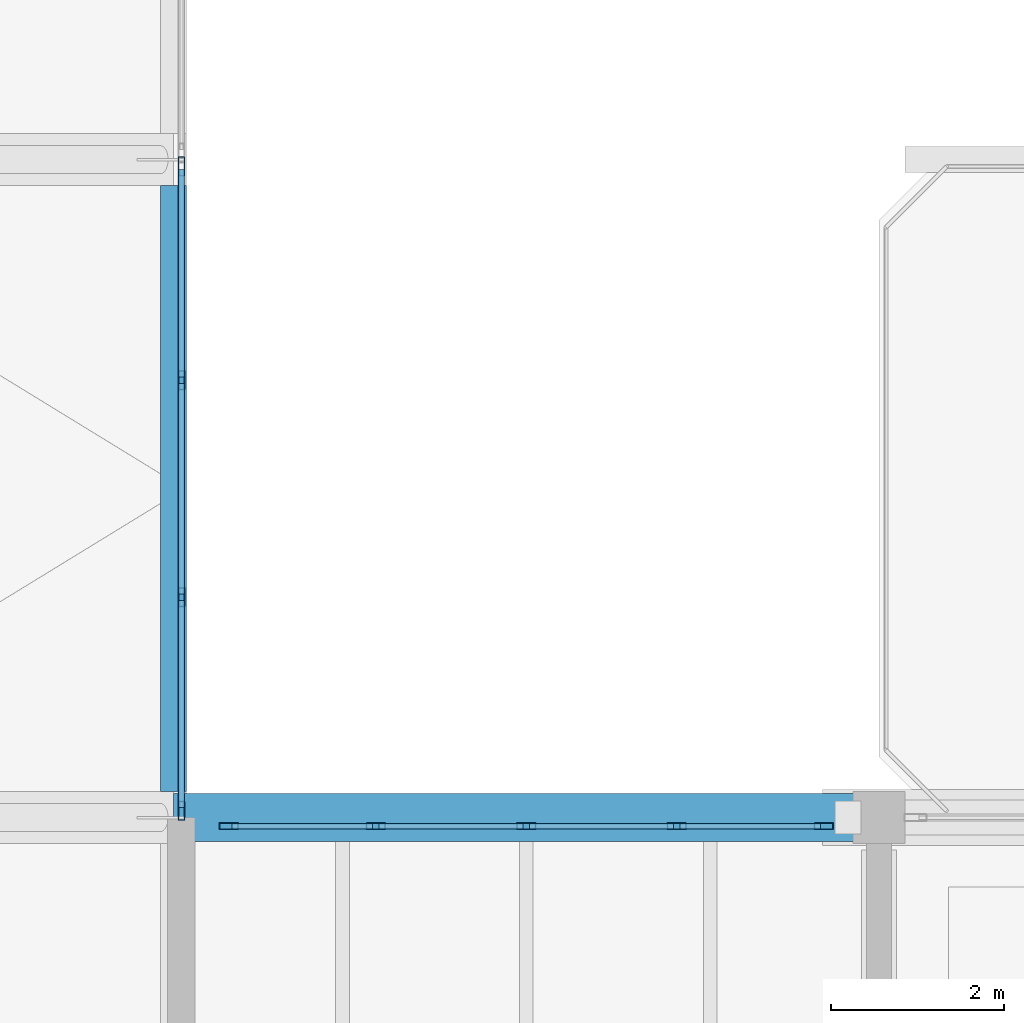
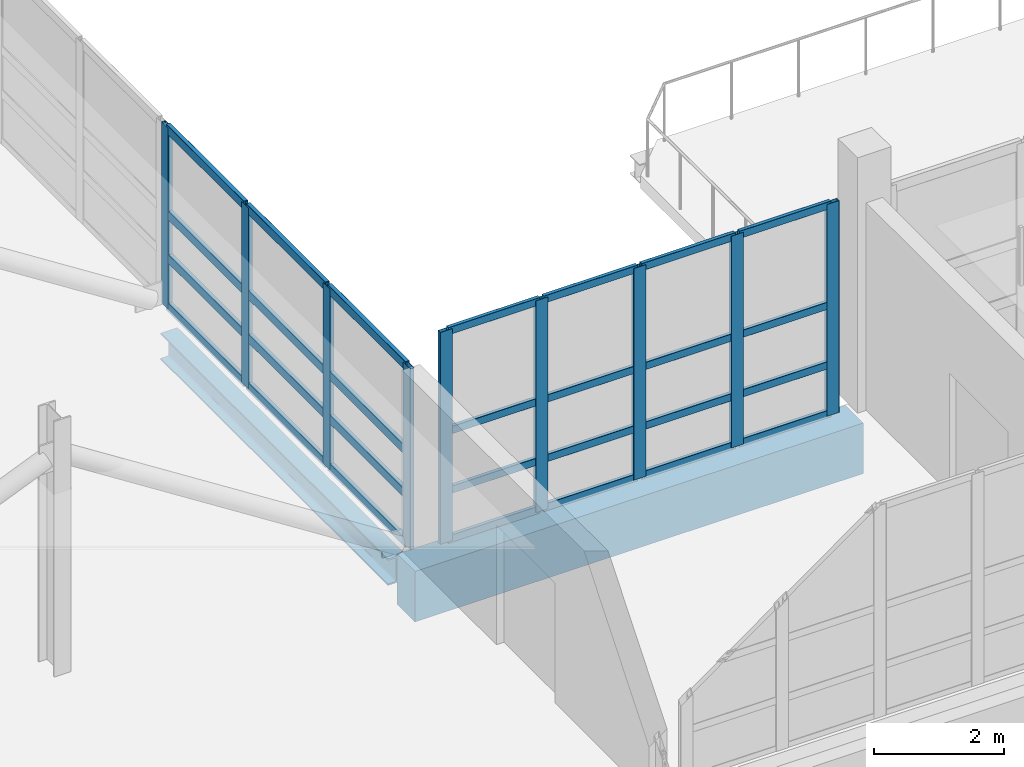
# One storey, part 16 of 147: 37 members, 2 beams, 2 elements without a shape of their own.
"""IFC4 building model written with IfcOpenShell, lengths in metres."""

from ifc_helpers import new_model, si_unit, direction, frame, origin, origin_2d, place, context, subcontext, project, spatial, rectangle, hollow_rectangle, i_section, extrude, material, material_profile, profile_set, type_object, element, aggregate, save


model = new_model("IFC4")

# Units and contexts
model_context = context("Model", 3, precision=1e-05, world=origin(), true_north=direction((0.0, 1.0)))
body_context = subcontext(model_context, "Body", "Model", "MODEL_VIEW")
ifc_project = project(units=[si_unit("LENGTHUNIT", "METRE"), si_unit("AREAUNIT", "SQUARE_METRE"), si_unit("VOLUMEUNIT", "CUBIC_METRE"), si_unit("PLANEANGLEUNIT", "RADIAN"), si_unit("MASSUNIT", "GRAM", prefix="KILO")], contexts=[model_context])

# Site, building, storey
site_placement = place(None, origin())
site = spatial("IfcSite", under=ifc_project, at=site_placement, CompositionType="ELEMENT")
building_placement = place(site_placement, origin())
building = spatial("IfcBuilding", under=site, at=building_placement, Name="Khelvaren Railside Concert Hall", CompositionType="ELEMENT")
storey_placement = place(building_placement, frame((0.0, 0.0, 5.39990234375)))
storey = spatial("IfcBuildingStorey", under=building, at=storey_placement, Name="L01", CompositionType="ELEMENT", Elevation=5.39990234375)

# Curtain wall, members
ifc_material_1 = material(Name="Triple-glazed solar-control glass", Category="glass")
curtain_wall_type_1 = type_object("IfcCurtainWallType", Name="CW41", PredefinedType="USERDEFINED", material=ifc_material_1)
curtain_wall_1_placement = place(storey_placement, origin())
curtain_wall_1 = element("IfcCurtainWall", 1, at=curtain_wall_1_placement, inside=storey, type_object=curtain_wall_type_1, Name="Unitised Curtain Wall CW-V1-L01-E-15", ObjectType="UNITISED CURTAIN WALL", PredefinedType="USERDEFINED")
ifc_material_2 = material(Name="Anodised architectural aluminium 6063-T6", Category="aluminium")
ifc_material_profile_1 = material_profile(ifc_material_2, hollow_rectangle(XDim=0.074951171875, YDim=0.219970703125, WallThickness=0.0048828125, InnerFilletRadius=0.0029296875, OuterFilletRadius=0.0048828125, at=origin_2d()), Name="CWM 75x220x5")
ifc_profile_set_1 = profile_set([ifc_material_profile_1], Name="Anodised architectural aluminium 6063-T6")
member_type_1 = type_object("IfcMemberType", Name="CWM13", PredefinedType="MULLION", material=ifc_profile_set_1)
member_1_placement = place(storey_placement, frame((55.93994140625, 22.722412109375, 0.0), z_axis=(0.0, 0.0, 1.0), x_axis=(1.0, 0.0, 0.0)))
member_1 = element("IfcMember", 2, at=member_1_placement, type_object=member_type_1, Name="CW41 mullion 1", PredefinedType="MULLION", context=body_context, shape_type="SweptSolid", body=[
    extrude(hollow_rectangle(XDim=0.074951171875, YDim=0.219970703125, WallThickness=0.0048828125, InnerFilletRadius=0.0029296875, OuterFilletRadius=0.0048828125, at=origin_2d()), origin(), (0.0, 0.0, 1.0), 3.400146484375),
])
member_2_placement = place(storey_placement, frame((55.93994140625, 20.25341796875, 0.0), z_axis=(0.0, 0.0, 1.0), x_axis=(1.0, 0.0, 0.0)))
member_2 = element("IfcMember", 3, at=member_2_placement, type_object=member_type_1, Name="CW41 mullion 2", PredefinedType="MULLION", context=body_context, shape_type="SweptSolid", body=[
    extrude(hollow_rectangle(XDim=0.074951171875, YDim=0.219970703125, WallThickness=0.0048828125, InnerFilletRadius=0.0029296875, OuterFilletRadius=0.0048828125, at=origin_2d()), origin(), (0.0, 0.0, 1.0), 3.400146484375),
])
member_3_placement = place(storey_placement, frame((55.93994140625, 17.74658203125, 0.0), z_axis=(0.0, 0.0, 1.0), x_axis=(1.0, 0.0, 0.0)))
member_3 = element("IfcMember", 4, at=member_3_placement, type_object=member_type_1, Name="CW41 mullion 3", PredefinedType="MULLION", context=body_context, shape_type="SweptSolid", body=[
    extrude(hollow_rectangle(XDim=0.074951171875, YDim=0.219970703125, WallThickness=0.0048828125, InnerFilletRadius=0.0029296875, OuterFilletRadius=0.0048828125, at=origin_2d()), origin(), (0.0, 0.0, 1.0), 3.400146484375),
])
member_4_placement = place(storey_placement, frame((55.93994140625, 15.277587890625, 0.0), z_axis=(0.0, 0.0, 1.0), x_axis=(1.0, 0.0, 0.0)))
member_4 = element("IfcMember", 5, at=member_4_placement, type_object=member_type_1, Name="CW41 mullion 4", PredefinedType="MULLION", context=body_context, shape_type="SweptSolid", body=[
    extrude(hollow_rectangle(XDim=0.074951171875, YDim=0.219970703125, WallThickness=0.0048828125, InnerFilletRadius=0.0029296875, OuterFilletRadius=0.0048828125, at=origin_2d()), origin(), (0.0, 0.0, 1.0), 3.400146484375),
])

ifc_material_3 = material(Name="Double-glazed clear foyer glass", Category="glass")
curtain_wall_type_2 = type_object("IfcCurtainWallType", Name="CW47", PredefinedType="USERDEFINED", material=ifc_material_3)
curtain_wall_2_placement = place(storey_placement, origin())
curtain_wall_2 = element("IfcCurtainWall", 6, at=curtain_wall_2_placement, inside=storey, type_object=curtain_wall_type_2, Name="Unitised Curtain Wall CW-LB1-L01-N", ObjectType="UNITISED CURTAIN WALL", PredefinedType="USERDEFINED")
member_5_placement = place(storey_placement, frame((56.487548828125, 15.10009765625, 0.0), z_axis=(0.0, 0.0, 1.0), x_axis=(0.0, 1.0, 0.0)))
member_5 = element("IfcMember", 7, at=member_5_placement, type_object=member_type_1, Name="CW47 mullion 1", PredefinedType="MULLION", context=body_context, shape_type="SweptSolid", body=[
    extrude(hollow_rectangle(XDim=0.074951171875, YDim=0.219970703125, WallThickness=0.0048828125, InnerFilletRadius=0.0029296875, OuterFilletRadius=0.0048828125, at=origin_2d()), origin(), (0.0, 0.0, 1.0), 3.97998046875),
])
member_6_placement = place(storey_placement, frame((58.1875, 15.10009765625, 0.0), z_axis=(0.0, 0.0, 1.0), x_axis=(0.0, 1.0, 0.0)))
member_6 = element("IfcMember", 8, at=member_6_placement, type_object=member_type_1, Name="CW47 mullion 2", PredefinedType="MULLION", context=body_context, shape_type="SweptSolid", body=[
    extrude(hollow_rectangle(XDim=0.074951171875, YDim=0.219970703125, WallThickness=0.0048828125, InnerFilletRadius=0.0029296875, OuterFilletRadius=0.0048828125, at=origin_2d()), origin(), (0.0, 0.0, 1.0), 3.97998046875),
])
member_7_placement = place(storey_placement, frame((59.925048828125, 15.10009765625, 0.0), z_axis=(0.0, 0.0, 1.0), x_axis=(0.0, 1.0, 0.0)))
member_7 = element("IfcMember", 9, at=member_7_placement, type_object=member_type_1, Name="CW47 mullion 3", PredefinedType="MULLION", context=body_context, shape_type="SweptSolid", body=[
    extrude(hollow_rectangle(XDim=0.074951171875, YDim=0.219970703125, WallThickness=0.0048828125, InnerFilletRadius=0.0029296875, OuterFilletRadius=0.0048828125, at=origin_2d()), origin(), (0.0, 0.0, 1.0), 3.97998046875),
])
member_8_placement = place(storey_placement, frame((61.66259765625, 15.10009765625, 0.0), z_axis=(0.0, 0.0, 1.0), x_axis=(0.0, 1.0, 0.0)))
member_8 = element("IfcMember", 10, at=member_8_placement, type_object=member_type_1, Name="CW47 mullion 4", PredefinedType="MULLION", context=body_context, shape_type="SweptSolid", body=[
    extrude(hollow_rectangle(XDim=0.074951171875, YDim=0.219970703125, WallThickness=0.0048828125, InnerFilletRadius=0.0029296875, OuterFilletRadius=0.0048828125, at=origin_2d()), origin(), (0.0, 0.0, 1.0), 3.97998046875),
])
member_9_placement = place(storey_placement, frame((63.362548828125, 15.10009765625, 0.0), z_axis=(0.0, 0.0, 1.0), x_axis=(0.0, 1.0, 0.0)))
member_9 = element("IfcMember", 11, at=member_9_placement, type_object=member_type_1, Name="CW47 mullion 5", PredefinedType="MULLION", context=body_context, shape_type="SweptSolid", body=[
    extrude(hollow_rectangle(XDim=0.074951171875, YDim=0.219970703125, WallThickness=0.0048828125, InnerFilletRadius=0.0029296875, OuterFilletRadius=0.0048828125, at=origin_2d()), origin(), (0.0, 0.0, 1.0), 3.97998046875),
])

# Member
ifc_material_profile_2 = material_profile(ifc_material_2, hollow_rectangle(XDim=0.074951171875, YDim=0.1650390625, WallThickness=0.00390625, InnerFilletRadius=0.001953125, OuterFilletRadius=0.00390625, at=origin_2d()), Name="CWT 75x165x4")
ifc_profile_set_2 = profile_set([ifc_material_profile_2], Name="Anodised architectural aluminium 6063-T6")
member_type_2 = type_object("IfcMemberType", Name="CWT46", PredefinedType="USERDEFINED", material=ifc_profile_set_2)
member_10_placement = place(storey_placement, frame((55.93994140625, 22.68505859375, 0.03759765625), z_axis=(0.0, -1.0, 0.0), x_axis=(1.0, 0.0, 0.0)))
member_10 = element("IfcMember", 12, at=member_10_placement, type_object=member_type_2, Name="CW41 transom 1.1", ObjectType="TRANSOM", PredefinedType="USERDEFINED", context=body_context, shape_type="SweptSolid", body=[
    extrude(hollow_rectangle(XDim=0.074951171875, YDim=0.1650390625, WallThickness=0.00390625, InnerFilletRadius=0.001953125, OuterFilletRadius=0.00390625, at=origin_2d()), origin(), (0.0, 0.0, 1.0), 2.394287109375),
])

member_11_placement = place(storey_placement, frame((55.93994140625, 22.68505859375, 0.9501953125), z_axis=(0.0, -1.0, 0.0), x_axis=(1.0, 0.0, 0.0)))
member_11 = element("IfcMember", 13, at=member_11_placement, type_object=member_type_2, Name="CW41 transom 1.2", ObjectType="TRANSOM", PredefinedType="USERDEFINED", context=body_context, shape_type="SweptSolid", body=[
    extrude(hollow_rectangle(XDim=0.074951171875, YDim=0.1650390625, WallThickness=0.00390625, InnerFilletRadius=0.001953125, OuterFilletRadius=0.00390625, at=origin_2d()), origin(), (0.0, 0.0, 1.0), 2.394287109375),
])

member_12_placement = place(storey_placement, frame((55.93994140625, 22.68505859375, 1.76806640625), z_axis=(0.0, -1.0, 0.0), x_axis=(1.0, 0.0, 0.0)))
member_12 = element("IfcMember", 14, at=member_12_placement, type_object=member_type_2, Name="CW41 transom 1.3", ObjectType="TRANSOM", PredefinedType="USERDEFINED", context=body_context, shape_type="SweptSolid", body=[
    extrude(hollow_rectangle(XDim=0.074951171875, YDim=0.1650390625, WallThickness=0.00390625, InnerFilletRadius=0.001953125, OuterFilletRadius=0.00390625, at=origin_2d()), origin(), (0.0, 0.0, 1.0), 2.394287109375),
])

member_13_placement = place(storey_placement, frame((55.93994140625, 22.68505859375, 3.362548828125), z_axis=(0.0, -1.0, 0.0), x_axis=(1.0, 0.0, 0.0)))
member_13 = element("IfcMember", 15, at=member_13_placement, type_object=member_type_2, Name="CW41 transom 1.4", ObjectType="TRANSOM", PredefinedType="USERDEFINED", context=body_context, shape_type="SweptSolid", body=[
    extrude(hollow_rectangle(XDim=0.074951171875, YDim=0.1650390625, WallThickness=0.00390625, InnerFilletRadius=0.001953125, OuterFilletRadius=0.00390625, at=origin_2d()), origin(), (0.0, 0.0, 1.0), 2.394287109375),
])

member_14_placement = place(storey_placement, frame((55.93994140625, 20.2158203125, 0.03759765625), z_axis=(0.0, -1.0, 0.0), x_axis=(1.0, 0.0, 0.0)))
member_14 = element("IfcMember", 16, at=member_14_placement, type_object=member_type_2, Name="CW41 transom 2.1", ObjectType="TRANSOM", PredefinedType="USERDEFINED", context=body_context, shape_type="SweptSolid", body=[
    extrude(hollow_rectangle(XDim=0.074951171875, YDim=0.1650390625, WallThickness=0.00390625, InnerFilletRadius=0.001953125, OuterFilletRadius=0.00390625, at=origin_2d()), origin(), (0.0, 0.0, 1.0), 2.431640625),
])

member_15_placement = place(storey_placement, frame((55.93994140625, 20.2158203125, 0.9501953125), z_axis=(0.0, -1.0, 0.0), x_axis=(1.0, 0.0, 0.0)))
member_15 = element("IfcMember", 17, at=member_15_placement, type_object=member_type_2, Name="CW41 transom 2.2", ObjectType="TRANSOM", PredefinedType="USERDEFINED", context=body_context, shape_type="SweptSolid", body=[
    extrude(hollow_rectangle(XDim=0.074951171875, YDim=0.1650390625, WallThickness=0.00390625, InnerFilletRadius=0.001953125, OuterFilletRadius=0.00390625, at=origin_2d()), origin(), (0.0, 0.0, 1.0), 2.431640625),
])

member_16_placement = place(storey_placement, frame((55.93994140625, 20.2158203125, 1.76806640625), z_axis=(0.0, -1.0, 0.0), x_axis=(1.0, 0.0, 0.0)))
member_16 = element("IfcMember", 18, at=member_16_placement, type_object=member_type_2, Name="CW41 transom 2.3", ObjectType="TRANSOM", PredefinedType="USERDEFINED", context=body_context, shape_type="SweptSolid", body=[
    extrude(hollow_rectangle(XDim=0.074951171875, YDim=0.1650390625, WallThickness=0.00390625, InnerFilletRadius=0.001953125, OuterFilletRadius=0.00390625, at=origin_2d()), origin(), (0.0, 0.0, 1.0), 2.431640625),
])

member_17_placement = place(storey_placement, frame((55.93994140625, 20.2158203125, 3.362548828125), z_axis=(0.0, -1.0, 0.0), x_axis=(1.0, 0.0, 0.0)))
member_17 = element("IfcMember", 19, at=member_17_placement, type_object=member_type_2, Name="CW41 transom 2.4", ObjectType="TRANSOM", PredefinedType="USERDEFINED", context=body_context, shape_type="SweptSolid", body=[
    extrude(hollow_rectangle(XDim=0.074951171875, YDim=0.1650390625, WallThickness=0.00390625, InnerFilletRadius=0.001953125, OuterFilletRadius=0.00390625, at=origin_2d()), origin(), (0.0, 0.0, 1.0), 2.431640625),
])

member_18_placement = place(storey_placement, frame((55.93994140625, 17.709228515625, 0.03759765625), z_axis=(0.0, -1.0, 0.0), x_axis=(1.0, 0.0, 0.0)))
member_18 = element("IfcMember", 20, at=member_18_placement, type_object=member_type_2, Name="CW41 transom 3.1", ObjectType="TRANSOM", PredefinedType="USERDEFINED", context=body_context, shape_type="SweptSolid", body=[
    extrude(hollow_rectangle(XDim=0.074951171875, YDim=0.1650390625, WallThickness=0.00390625, InnerFilletRadius=0.001953125, OuterFilletRadius=0.00390625, at=origin_2d()), origin(), (0.0, 0.0, 1.0), 2.394287109375),
])

member_19_placement = place(storey_placement, frame((55.93994140625, 17.709228515625, 0.9501953125), z_axis=(0.0, -1.0, 0.0), x_axis=(1.0, 0.0, 0.0)))
member_19 = element("IfcMember", 21, at=member_19_placement, type_object=member_type_2, Name="CW41 transom 3.2", ObjectType="TRANSOM", PredefinedType="USERDEFINED", context=body_context, shape_type="SweptSolid", body=[
    extrude(hollow_rectangle(XDim=0.074951171875, YDim=0.1650390625, WallThickness=0.00390625, InnerFilletRadius=0.001953125, OuterFilletRadius=0.00390625, at=origin_2d()), origin(), (0.0, 0.0, 1.0), 2.394287109375),
])

member_20_placement = place(storey_placement, frame((55.93994140625, 17.709228515625, 1.76806640625), z_axis=(0.0, -1.0, 0.0), x_axis=(1.0, 0.0, 0.0)))
member_20 = element("IfcMember", 22, at=member_20_placement, type_object=member_type_2, Name="CW41 transom 3.3", ObjectType="TRANSOM", PredefinedType="USERDEFINED", context=body_context, shape_type="SweptSolid", body=[
    extrude(hollow_rectangle(XDim=0.074951171875, YDim=0.1650390625, WallThickness=0.00390625, InnerFilletRadius=0.001953125, OuterFilletRadius=0.00390625, at=origin_2d()), origin(), (0.0, 0.0, 1.0), 2.394287109375),
])

member_21_placement = place(storey_placement, frame((55.93994140625, 17.709228515625, 3.362548828125), z_axis=(0.0, -1.0, 0.0), x_axis=(1.0, 0.0, 0.0)))
member_21 = element("IfcMember", 23, at=member_21_placement, type_object=member_type_2, Name="CW41 transom 3.4", ObjectType="TRANSOM", PredefinedType="USERDEFINED", context=body_context, shape_type="SweptSolid", body=[
    extrude(hollow_rectangle(XDim=0.074951171875, YDim=0.1650390625, WallThickness=0.00390625, InnerFilletRadius=0.001953125, OuterFilletRadius=0.00390625, at=origin_2d()), origin(), (0.0, 0.0, 1.0), 2.394287109375),
])

aggregate(curtain_wall_1, [member_1, member_2, member_3, member_4, member_10, member_11, member_12, member_13, member_14, member_15, member_16, member_17, member_18, member_19, member_20, member_21])

ifc_material_profile_3 = material_profile(ifc_material_2, hollow_rectangle(XDim=0.06494140625, YDim=0.139892578125, WallThickness=0.00390625, InnerFilletRadius=0.001953125, OuterFilletRadius=0.00390625, at=origin_2d()), Name="CWT 65x140x4")
ifc_profile_set_3 = profile_set([ifc_material_profile_3], Name="Anodised architectural aluminium 6063-T6")
member_type_3 = type_object("IfcMemberType", Name="CWT72", PredefinedType="USERDEFINED", material=ifc_profile_set_3)
member_22_placement = place(storey_placement, frame((56.52490234375, 15.10009765625, 0.03271484375), z_axis=(1.0, 0.0, 0.0), x_axis=(0.0, 1.0, 0.0)))
member_22 = element("IfcMember", 24, at=member_22_placement, type_object=member_type_3, Name="CW47 transom 1.1", ObjectType="TRANSOM", PredefinedType="USERDEFINED", context=body_context, shape_type="SweptSolid", body=[
    extrude(hollow_rectangle(XDim=0.06494140625, YDim=0.139892578125, WallThickness=0.00390625, InnerFilletRadius=0.001953125, OuterFilletRadius=0.00390625, at=origin_2d()), origin(), (0.0, 0.0, 1.0), 1.625),
])

member_23_placement = place(storey_placement, frame((56.52490234375, 15.10009765625, 0.9501953125), z_axis=(1.0, 0.0, 0.0), x_axis=(0.0, 1.0, 0.0)))
member_23 = element("IfcMember", 25, at=member_23_placement, type_object=member_type_3, Name="CW47 transom 1.2", ObjectType="TRANSOM", PredefinedType="USERDEFINED", context=body_context, shape_type="SweptSolid", body=[
    extrude(hollow_rectangle(XDim=0.06494140625, YDim=0.139892578125, WallThickness=0.00390625, InnerFilletRadius=0.001953125, OuterFilletRadius=0.00390625, at=origin_2d()), origin(), (0.0, 0.0, 1.0), 1.625),
])

member_24_placement = place(storey_placement, frame((56.52490234375, 15.10009765625, 2.069580078125), z_axis=(1.0, 0.0, 0.0), x_axis=(0.0, 1.0, 0.0)))
member_24 = element("IfcMember", 26, at=member_24_placement, type_object=member_type_3, Name="CW47 transom 1.3", ObjectType="TRANSOM", PredefinedType="USERDEFINED", context=body_context, shape_type="SweptSolid", body=[
    extrude(hollow_rectangle(XDim=0.06494140625, YDim=0.139892578125, WallThickness=0.00390625, InnerFilletRadius=0.001953125, OuterFilletRadius=0.00390625, at=origin_2d()), origin(), (0.0, 0.0, 1.0), 1.625),
])

member_25_placement = place(storey_placement, frame((56.52490234375, 15.10009765625, 3.947509765625), z_axis=(1.0, 0.0, 0.0), x_axis=(0.0, 1.0, 0.0)))
member_25 = element("IfcMember", 27, at=member_25_placement, type_object=member_type_3, Name="CW47 transom 1.4", ObjectType="TRANSOM", PredefinedType="USERDEFINED", context=body_context, shape_type="SweptSolid", body=[
    extrude(hollow_rectangle(XDim=0.06494140625, YDim=0.139892578125, WallThickness=0.00390625, InnerFilletRadius=0.001953125, OuterFilletRadius=0.00390625, at=origin_2d()), origin(), (0.0, 0.0, 1.0), 1.625),
])

member_26_placement = place(storey_placement, frame((58.22509765625, 15.10009765625, 0.03271484375), z_axis=(1.0, 0.0, 0.0), x_axis=(0.0, 1.0, 0.0)))
member_26 = element("IfcMember", 28, at=member_26_placement, type_object=member_type_3, Name="CW47 transom 2.1", ObjectType="TRANSOM", PredefinedType="USERDEFINED", context=body_context, shape_type="SweptSolid", body=[
    extrude(hollow_rectangle(XDim=0.06494140625, YDim=0.139892578125, WallThickness=0.00390625, InnerFilletRadius=0.001953125, OuterFilletRadius=0.00390625, at=origin_2d()), origin(), (0.0, 0.0, 1.0), 1.662353515625),
])

member_27_placement = place(storey_placement, frame((58.22509765625, 15.10009765625, 0.9501953125), z_axis=(1.0, 0.0, 0.0), x_axis=(0.0, 1.0, 0.0)))
member_27 = element("IfcMember", 29, at=member_27_placement, type_object=member_type_3, Name="CW47 transom 2.2", ObjectType="TRANSOM", PredefinedType="USERDEFINED", context=body_context, shape_type="SweptSolid", body=[
    extrude(hollow_rectangle(XDim=0.06494140625, YDim=0.139892578125, WallThickness=0.00390625, InnerFilletRadius=0.001953125, OuterFilletRadius=0.00390625, at=origin_2d()), origin(), (0.0, 0.0, 1.0), 1.662353515625),
])

member_28_placement = place(storey_placement, frame((58.22509765625, 15.10009765625, 2.069580078125), z_axis=(1.0, 0.0, 0.0), x_axis=(0.0, 1.0, 0.0)))
member_28 = element("IfcMember", 30, at=member_28_placement, type_object=member_type_3, Name="CW47 transom 2.3", ObjectType="TRANSOM", PredefinedType="USERDEFINED", context=body_context, shape_type="SweptSolid", body=[
    extrude(hollow_rectangle(XDim=0.06494140625, YDim=0.139892578125, WallThickness=0.00390625, InnerFilletRadius=0.001953125, OuterFilletRadius=0.00390625, at=origin_2d()), origin(), (0.0, 0.0, 1.0), 1.662353515625),
])

member_29_placement = place(storey_placement, frame((58.22509765625, 15.10009765625, 3.947509765625), z_axis=(1.0, 0.0, 0.0), x_axis=(0.0, 1.0, 0.0)))
member_29 = element("IfcMember", 31, at=member_29_placement, type_object=member_type_3, Name="CW47 transom 2.4", ObjectType="TRANSOM", PredefinedType="USERDEFINED", context=body_context, shape_type="SweptSolid", body=[
    extrude(hollow_rectangle(XDim=0.06494140625, YDim=0.139892578125, WallThickness=0.00390625, InnerFilletRadius=0.001953125, OuterFilletRadius=0.00390625, at=origin_2d()), origin(), (0.0, 0.0, 1.0), 1.662353515625),
])

member_30_placement = place(storey_placement, frame((59.96240234375, 15.10009765625, 0.03271484375), z_axis=(1.0, 0.0, 0.0), x_axis=(0.0, 1.0, 0.0)))
member_30 = element("IfcMember", 32, at=member_30_placement, type_object=member_type_3, Name="CW47 transom 3.1", ObjectType="TRANSOM", PredefinedType="USERDEFINED", context=body_context, shape_type="SweptSolid", body=[
    extrude(hollow_rectangle(XDim=0.06494140625, YDim=0.139892578125, WallThickness=0.00390625, InnerFilletRadius=0.001953125, OuterFilletRadius=0.00390625, at=origin_2d()), origin(), (0.0, 0.0, 1.0), 1.66259765625),
])

member_31_placement = place(storey_placement, frame((59.96240234375, 15.10009765625, 0.9501953125), z_axis=(1.0, 0.0, 0.0), x_axis=(0.0, 1.0, 0.0)))
member_31 = element("IfcMember", 33, at=member_31_placement, type_object=member_type_3, Name="CW47 transom 3.2", ObjectType="TRANSOM", PredefinedType="USERDEFINED", context=body_context, shape_type="SweptSolid", body=[
    extrude(hollow_rectangle(XDim=0.06494140625, YDim=0.139892578125, WallThickness=0.00390625, InnerFilletRadius=0.001953125, OuterFilletRadius=0.00390625, at=origin_2d()), origin(), (0.0, 0.0, 1.0), 1.66259765625),
])

member_32_placement = place(storey_placement, frame((59.96240234375, 15.10009765625, 2.069580078125), z_axis=(1.0, 0.0, 0.0), x_axis=(0.0, 1.0, 0.0)))
member_32 = element("IfcMember", 34, at=member_32_placement, type_object=member_type_3, Name="CW47 transom 3.3", ObjectType="TRANSOM", PredefinedType="USERDEFINED", context=body_context, shape_type="SweptSolid", body=[
    extrude(hollow_rectangle(XDim=0.06494140625, YDim=0.139892578125, WallThickness=0.00390625, InnerFilletRadius=0.001953125, OuterFilletRadius=0.00390625, at=origin_2d()), origin(), (0.0, 0.0, 1.0), 1.66259765625),
])

member_33_placement = place(storey_placement, frame((59.96240234375, 15.10009765625, 3.947509765625), z_axis=(1.0, 0.0, 0.0), x_axis=(0.0, 1.0, 0.0)))
member_33 = element("IfcMember", 35, at=member_33_placement, type_object=member_type_3, Name="CW47 transom 3.4", ObjectType="TRANSOM", PredefinedType="USERDEFINED", context=body_context, shape_type="SweptSolid", body=[
    extrude(hollow_rectangle(XDim=0.06494140625, YDim=0.139892578125, WallThickness=0.00390625, InnerFilletRadius=0.001953125, OuterFilletRadius=0.00390625, at=origin_2d()), origin(), (0.0, 0.0, 1.0), 1.66259765625),
])

member_34_placement = place(storey_placement, frame((61.699951171875, 15.10009765625, 0.03271484375), z_axis=(1.0, 0.0, 0.0), x_axis=(0.0, 1.0, 0.0)))
member_34 = element("IfcMember", 36, at=member_34_placement, type_object=member_type_3, Name="CW47 transom 4.1", ObjectType="TRANSOM", PredefinedType="USERDEFINED", context=body_context, shape_type="SweptSolid", body=[
    extrude(hollow_rectangle(XDim=0.06494140625, YDim=0.139892578125, WallThickness=0.00390625, InnerFilletRadius=0.001953125, OuterFilletRadius=0.00390625, at=origin_2d()), origin(), (0.0, 0.0, 1.0), 1.625),
])

member_35_placement = place(storey_placement, frame((61.699951171875, 15.10009765625, 0.9501953125), z_axis=(1.0, 0.0, 0.0), x_axis=(0.0, 1.0, 0.0)))
member_35 = element("IfcMember", 37, at=member_35_placement, type_object=member_type_3, Name="CW47 transom 4.2", ObjectType="TRANSOM", PredefinedType="USERDEFINED", context=body_context, shape_type="SweptSolid", body=[
    extrude(hollow_rectangle(XDim=0.06494140625, YDim=0.139892578125, WallThickness=0.00390625, InnerFilletRadius=0.001953125, OuterFilletRadius=0.00390625, at=origin_2d()), origin(), (0.0, 0.0, 1.0), 1.625),
])

member_36_placement = place(storey_placement, frame((61.699951171875, 15.10009765625, 2.069580078125), z_axis=(1.0, 0.0, 0.0), x_axis=(0.0, 1.0, 0.0)))
member_36 = element("IfcMember", 38, at=member_36_placement, type_object=member_type_3, Name="CW47 transom 4.3", ObjectType="TRANSOM", PredefinedType="USERDEFINED", context=body_context, shape_type="SweptSolid", body=[
    extrude(hollow_rectangle(XDim=0.06494140625, YDim=0.139892578125, WallThickness=0.00390625, InnerFilletRadius=0.001953125, OuterFilletRadius=0.00390625, at=origin_2d()), origin(), (0.0, 0.0, 1.0), 1.625),
])

member_37_placement = place(storey_placement, frame((61.699951171875, 15.10009765625, 3.947509765625), z_axis=(1.0, 0.0, 0.0), x_axis=(0.0, 1.0, 0.0)))
member_37 = element("IfcMember", 39, at=member_37_placement, type_object=member_type_3, Name="CW47 transom 4.4", ObjectType="TRANSOM", PredefinedType="USERDEFINED", context=body_context, shape_type="SweptSolid", body=[
    extrude(hollow_rectangle(XDim=0.06494140625, YDim=0.139892578125, WallThickness=0.00390625, InnerFilletRadius=0.001953125, OuterFilletRadius=0.00390625, at=origin_2d()), origin(), (0.0, 0.0, 1.0), 1.625),
])

aggregate(curtain_wall_2, [member_5, member_6, member_7, member_8, member_9, member_22, member_23, member_24, member_25, member_26, member_27, member_28, member_29, member_30, member_31, member_32, member_33, member_34, member_35, member_36, member_37])

# Beams
ifc_material_4 = material(Name="Concrete C40/50", Category="concrete")
ifc_material_profile_4 = material_profile(ifc_material_4, rectangle(XDim=0.550048828125, YDim=0.949951171875, at=origin_2d()), Name="RCB 550x950")
ifc_profile_set_4 = profile_set([ifc_material_profile_4], Name="Concrete C40/50")
beam_type_1 = type_object("IfcBeamType", Name="GR75", PredefinedType="T_BEAM", material=ifc_profile_set_4)
beam_1_placement = place(storey_placement, frame((55.85009765625, 15.199951171875, -0.71484375), z_axis=(1.0, 0.0, 0.0), x_axis=(0.0, 1.0, 0.0)))
element("IfcBeam", 40, at=beam_1_placement, inside=storey, type_object=beam_type_1, Name="West Promenade Link Bridge L01 Bridge Girder 2", PredefinedType="T_BEAM", context=body_context, shape_type="SweptSolid", body=[
    extrude(rectangle(XDim=0.550048828125, YDim=0.949951171875, at=origin_2d()), origin(), (0.0, 0.0, 1.0), 7.969970703125),
])
ifc_material_5 = material(Name="Steel S355", Category="steel")
ifc_material_profile_5 = material_profile(ifc_material_5, i_section(OverallWidth=0.300048828125, OverallDepth=0.5, WebThickness=0.014404296875, FlangeThickness=0.028076171875, FilletRadius=0.027099609375, at=origin_2d()), Name="HEB 500")
ifc_profile_set_5 = profile_set([ifc_material_profile_5], Name="Steel S355")
beam_type_2 = type_object("IfcBeamType", Name="SP12", PredefinedType="SPANDREL", material=ifc_profile_set_5)
beam_2_placement = place(storey_placement, frame((55.85009765625, 15.5, -0.5498046875), z_axis=(0.0, 1.0, 0.0), x_axis=(-1.0, 0.0, 0.0)))
element("IfcBeam", 41, at=beam_2_placement, inside=storey, type_object=beam_type_2, Name="V1 L01 Cantilever Tip Spandrel Y3", PredefinedType="SPANDREL", context=body_context, shape_type="SweptSolid", body=[
    extrude(i_section(OverallWidth=0.300048828125, OverallDepth=0.5, WebThickness=0.014404296875, FlangeThickness=0.028076171875, FilletRadius=0.027099609375, at=origin_2d()), origin(), (0.0, 0.0, 1.0), 7.0),
])

save(model, "model.ifc")
